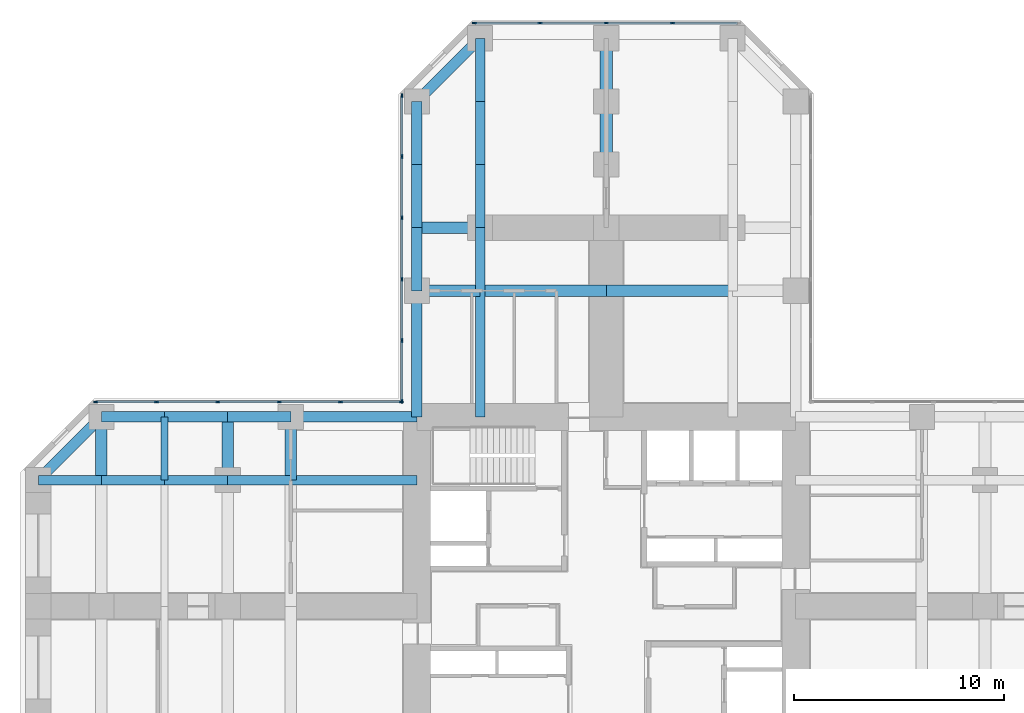
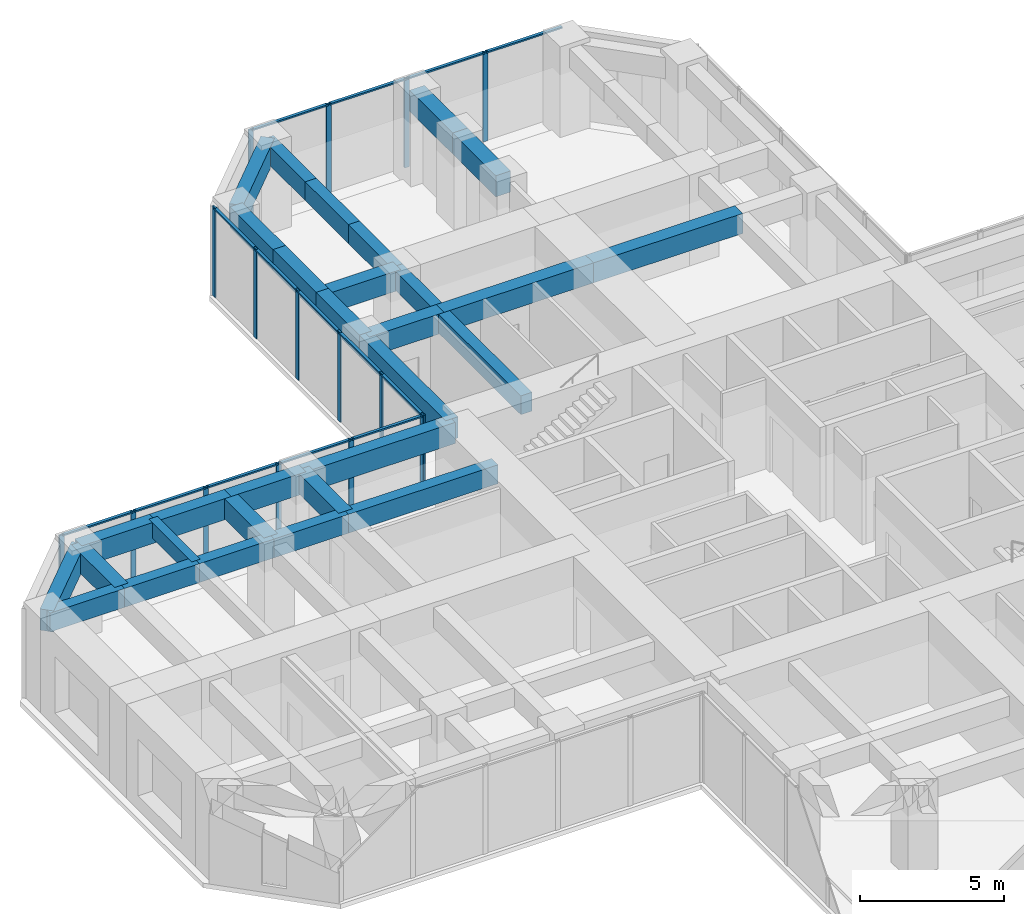
# One storey, part 5 of 12: 30 beams, 30 members, 3 elements without a shape of their own.
"""IFC4 building model written with IfcOpenShell, lengths in metres."""

import ifcopenshell
import ifcopenshell.guid

model = None  # the IFC model being written
_history = None  # IfcOwnerHistory: only IFC2X3 demands one
_inside = {}  # id of a spatial element -> (the spatial element, [elements in it])
_under = {}  # id of a project, library or spatial element -> (it, [spatial elements below it])
_declared = {}  # id of a project -> (the project, [libraries it declares])
_typed = {}  # id of a type object -> (the type object, [elements of that type])
_made_of = {}  # id of a material, layer set ... -> (it, [elements and type objects made of it])


def new_model(schema):
    """Start an empty IFC model of exactly this schema.

    Asked for "IFC4X3", IfcOpenShell would pick the latest addendum, in which some entities
    have other attributes; the version numbers below select the first issue.
    IFC2X3 requires an IfcOwnerHistory on every rooted entity: one is made here for all.
    """
    global model, _history
    if schema == "IFC4X3":
        model = ifcopenshell.file(schema_version=(4, 3, 0, 0))
    else:
        model = ifcopenshell.file(schema=schema)
    _inside.clear()
    _under.clear()
    _declared.clear()
    _typed.clear()
    _made_of.clear()
    _history = None
    if model.schema == "IFC2X3":
        org = make("IfcOrganization", Name="unknown")
        user = make(
            "IfcPersonAndOrganization",
            ThePerson=make("IfcPerson", FamilyName="unknown"),
            TheOrganization=org,
        )
        app = make(
            "IfcApplication",
            ApplicationDeveloper=org,
            Version="unknown",
            ApplicationFullName="unknown",
            ApplicationIdentifier="unknown",
        )
        _history = make(
            "IfcOwnerHistory",
            OwningUser=user,
            OwningApplication=app,
            ChangeAction="ADDED",
            CreationDate=0,
        )
    return model


def make(cls, **values):
    """One entity of the class cls with the attributes given. An attribute that is None is left unset."""
    return model.create_entity(
        cls, **{name: value for name, value in values.items() if value is not None}
    )


def rooted(cls, **values):
    """An entity with a GlobalId (a new one), such as an element, a storey or a relation."""
    return make(cls, GlobalId=ifcopenshell.guid.new(), OwnerHistory=_history, **values)


def si_unit(unit_type, name, prefix=None):
    """IfcSIUnit, for example si_unit("LENGTHUNIT", "METRE", prefix="MILLI")."""
    return make("IfcSIUnit", UnitType=unit_type, Prefix=prefix, Name=name)


def assignment(units):
    """IfcUnitAssignment: the units of a project."""
    return None if units is None else make("IfcUnitAssignment", Units=units)


def point(xyz):
    """IfcCartesianPoint."""
    return None if xyz is None else make("IfcCartesianPoint", Coordinates=xyz)


def direction(xyz):
    """IfcDirection."""
    return None if xyz is None else make("IfcDirection", DirectionRatios=xyz)


def frame(location, z_axis=None, x_axis=None):
    """IfcAxis2Placement3D, a coordinate frame: its origin and axes. An axis left out is left unset."""
    return make(
        "IfcAxis2Placement3D",
        Location=point(location),
        Axis=direction(z_axis),
        RefDirection=direction(x_axis),
    )


def frame_2d(location, x_axis=None):
    """IfcAxis2Placement2D, a coordinate frame in the plane: its origin and x axis."""
    return make(
        "IfcAxis2Placement2D", Location=point(location), RefDirection=direction(x_axis)
    )


def origin():
    """The frame at (0, 0, 0) with its axes left unset."""
    return frame((0.0, 0.0, 0.0))


def origin_2d():
    """The frame at (0, 0) in the plane with its x axis left unset."""
    return frame_2d((0.0, 0.0))


def place(relative_to, where):
    """IfcLocalPlacement: puts the frame where relative to a parent placement (None: the world)."""
    return make(
        "IfcLocalPlacement", PlacementRelTo=relative_to, RelativePlacement=where
    )


def context(
    kind, dimensions, precision=None, world=None, true_north=None, identifier=None
):
    """IfcGeometricRepresentationContext, for example the 3D "Model" context."""
    return make(
        "IfcGeometricRepresentationContext",
        ContextIdentifier=identifier,
        ContextType=kind,
        CoordinateSpaceDimension=dimensions,
        Precision=precision,
        WorldCoordinateSystem=world,
        TrueNorth=true_north,
    )


def subcontext(parent, identifier, kind, view, scale=None):
    """IfcGeometricRepresentationSubContext, for example "Body" below "Model"."""
    return make(
        "IfcGeometricRepresentationSubContext",
        ContextIdentifier=identifier,
        ContextType=kind,
        ParentContext=parent,
        TargetScale=scale,
        TargetView=view,
    )


def project(units=None, contexts=None):
    """IfcProject with its units and contexts."""
    return rooted(
        "IfcProject",
        Name="project",
        RepresentationContexts=contexts,
        UnitsInContext=assignment(units),
    )


def spatial(cls, under=None, at=None, **own):
    """A site, building, storey or space (cls), placed at a placement, below another one or the project."""
    s = rooted(cls, ObjectPlacement=at, **own)
    if under is not None:
        _under.setdefault(under.id(), (under, []))[1].append(s)
    return s


def profile(cls, at=None, kind="AREA", **sizes):
    """A parametric profile (cls). Its sizes go by their IFC names, for example OverallWidth=200.0."""
    return make(cls, ProfileType=kind, Position=at, **sizes)


def rectangle(**sizes):
    """IfcRectangleProfileDef."""
    return profile("IfcRectangleProfileDef", **sizes)


def extrude(swept, where, along, depth):
    """IfcExtrudedAreaSolid: the profile swept, set in the frame where, extruded along a direction by depth."""
    return make(
        "IfcExtrudedAreaSolid",
        SweptArea=swept,
        Position=where,
        ExtrudedDirection=direction(along),
        Depth=depth,
    )


def shape(context_of_items, identifier, shape_type, items):
    """IfcShapeRepresentation: the items that make up one representation, for example the "Body"."""
    return make(
        "IfcShapeRepresentation",
        ContextOfItems=context_of_items,
        RepresentationIdentifier=identifier,
        RepresentationType=shape_type,
        Items=items,
    )


def material(Name=None, Category=None):
    """IfcMaterial."""
    return make("IfcMaterial", Name=Name, Category=Category)


def material_profile(
    of_material, cross_section, Name=None, Category=None, Priority=None
):
    """IfcMaterialProfile: a cross section and its material."""
    return make(
        "IfcMaterialProfile",
        Name=Name,
        Material=of_material,
        Profile=cross_section,
        Priority=Priority,
        Category=Category,
    )


def profile_set(profiles, Name=None, composite=None):
    """IfcMaterialProfileSet."""
    return make(
        "IfcMaterialProfileSet",
        Name=Name,
        MaterialProfiles=profiles,
        CompositeProfile=composite,
    )


def made_of(thing, what):
    """Note that an element or type object is made of a material, layer set ...; save() writes the relation."""
    if what is not None:
        _made_of.setdefault(what.id(), (what, []))[1].append(thing)
    return thing


def type_object(cls, material=None, **own):
    """A type object (cls), such as IfcWallType, which elements share."""
    return made_of(rooted(cls, **own), material)


def element(
    cls,
    number,
    at=None,
    inside=None,
    cuts=None,
    type_object=None,
    material=None,
    context=None,
    identifier="Body",
    shape_type=None,
    held_by="IfcProductDefinitionShape",
    body=None,
    shapes=None,
    **own,
):
    """One element of the class cls, such as IfcWall. Its Tag is "e" and its number.

    at: its placement. inside: the storey or other place that contains it. cuts: it is an
    opening in that element (IfcRelVoidsElement). A single representation is given by context,
    identifier, shape_type and body (its items); several are given by shapes. held_by: the class
    of the entity that holds the representations. save() writes the other relations.
    """
    e = rooted(cls, Tag="e%d" % number, ObjectPlacement=at, **own)
    if body is not None:
        shapes = [shape(context, identifier, shape_type, body)]
    if shapes is not None:
        e.Representation = make(held_by, Representations=shapes)
    if inside is not None:
        _inside.setdefault(inside.id(), (inside, []))[1].append(e)
    if cuts is not None:
        rooted(
            "IfcRelVoidsElement", RelatingBuildingElement=cuts, RelatedOpeningElement=e
        )
    if type_object is not None:
        _typed.setdefault(type_object.id(), (type_object, []))[1].append(e)
    return made_of(e, material)


def aggregate(whole, parts):
    """IfcRelAggregates: a whole, such as a stair, and the parts it consists of."""
    return rooted("IfcRelAggregates", RelatingObject=whole, RelatedObjects=parts)


def save(model, path):
    """Write the relations noted so far, then the file.

    IfcRelAggregates (storeys below a building ...), IfcRelContainedInSpatialStructure (elements
    in a storey), IfcRelDefinesByType, IfcRelAssociatesMaterial and IfcRelDeclares: one each for
    every whole, place, type object, material and project.
    """
    for whole, parts in _under.values():
        aggregate(whole, parts)
    for where, things in _inside.values():
        rooted(
            "IfcRelContainedInSpatialStructure",
            RelatedElements=things,
            RelatingStructure=where,
        )
    for kind, things in _typed.values():
        rooted("IfcRelDefinesByType", RelatedObjects=things, RelatingType=kind)
    for what, things in _made_of.values():
        rooted("IfcRelAssociatesMaterial", RelatedObjects=things, RelatingMaterial=what)
    for by, libraries in _declared.values():
        rooted("IfcRelDeclares", RelatingContext=by, RelatedDefinitions=libraries)
    model.write(path)


model = new_model("IFC4")

# Units and contexts
model_context = context("Model", 3, precision=1e-05, world=origin(), true_north=direction((0.0, 1.0)))
body_context = subcontext(model_context, "Body", "Model", "MODEL_VIEW")
ifc_project = project(units=[si_unit("LENGTHUNIT", "METRE"), si_unit("AREAUNIT", "SQUARE_METRE"), si_unit("VOLUMEUNIT", "CUBIC_METRE"), si_unit("PLANEANGLEUNIT", "RADIAN"), si_unit("MASSUNIT", "GRAM", prefix="KILO")], contexts=[model_context])

# Site, building, storey
site_placement = place(None, origin())
site = spatial("IfcSite", under=ifc_project, at=site_placement, CompositionType="ELEMENT")
building_placement = place(site_placement, origin())
building = spatial("IfcBuilding", under=site, at=building_placement, Name="Torre Cruceta", CompositionType="ELEMENT")
storey_placement = place(building_placement, frame((0.0, 0.0, 67.5)))
storey = spatial("IfcBuildingStorey", under=building, at=storey_placement, Name="L16", CompositionType="ELEMENT", Elevation=67.5)

# Beams
ifc_material_1 = material(Name="Concrete G60 (fck 60 MPa)", Category="concrete")
ifc_material_profile_1 = material_profile(ifc_material_1, rectangle(XDim=0.60009765625, YDim=0.89990234375, at=origin_2d()), Name="RC 600X900")
ifc_profile_set_1 = profile_set([ifc_material_profile_1], Name="Concrete G60 (fck 60 MPa)")
beam_type_1 = type_object("IfcBeamType", Name="ARM CENTRE BEAM RC 600X900", PredefinedType="BEAM", material=ifc_profile_set_1)
for number, where, z_axis, x_axis, name in (
    (1, (0.0, 21.0, 3.35009765625), (0.0, 1.0, 0.0), (-1.0, 0.0, 0.0), "MB3 L16 N centre 1"),
    (2, (0.0, 24.0, 3.35009765625), (0.0, 1.0, 0.0), (-1.0, 0.0, 0.0), "MB3 L16 N centre 2"),
):
    element("IfcBeam", number, at=place(storey_placement, frame(where, z_axis=z_axis, x_axis=x_axis)), inside=storey, type_object=beam_type_1, Name=name, PredefinedType="BEAM", context=body_context, shape_type="SweptSolid", body=[
        extrude(rectangle(XDim=0.60009765625, YDim=0.89990234375, at=origin_2d()), origin(), (0.0, 0.0, 1.0), 3.0),
    ])
ifc_material_2 = material(Name="Concrete G60 (fck 60 MPa)", Category="concrete")
ifc_material_profile_2 = material_profile(ifc_material_2, rectangle(XDim=0.449951171875, YDim=0.800048828125, at=origin_2d()), Name="RC 450X800")
ifc_profile_set_2 = profile_set([ifc_material_profile_2], Name="Concrete G60 (fck 60 MPa)")
beam_type_2 = type_object("IfcBeamType", Name="COLUMN LINE BEAM RC 450X800", PredefinedType="BEAM", material=ifc_profile_set_2)
beam_1_placement = place(storey_placement, frame((-6.0, 9.0, 3.39990234375), z_axis=(0.0, 1.0, 0.0), x_axis=(-1.0, 0.0, 0.0)))
element("IfcBeam", 3, at=beam_1_placement, inside=storey, type_object=beam_type_2, Name="LB1 L16 N col+ 1", PredefinedType="BEAM", context=body_context, shape_type="SweptSolid", body=[
    extrude(rectangle(XDim=0.449951171875, YDim=0.800048828125, at=origin_2d()), origin(), (0.0, 0.0, 1.0), 6.0),
])
for number, where, z_axis, x_axis, name in (
    (4, (-6.0, 15.0, 3.39990234375), (0.0, 1.0, 0.0), (-1.0, 0.0, 0.0), "LB1 L16 N col+ 2"),
    (5, (-6.0, 18.0, 3.39990234375), (0.0, 1.0, 0.0), (-1.0, 0.0, 0.0), "LB1 L16 N col+ 3"),
    (6, (-6.0, 21.0, 3.39990234375), (0.0, 1.0, 0.0), (-1.0, 0.0, 0.0), "LB1 L16 N col+ 4"),
    (7, (-6.0, 24.0, 3.39990234375), (0.0, 1.0, 0.0), (-1.0, 0.0, 0.0), "LB1 L16 N col+ 5"),
):
    element("IfcBeam", number, at=place(storey_placement, frame(where, z_axis=z_axis, x_axis=x_axis)), inside=storey, type_object=beam_type_2, Name=name, PredefinedType="BEAM", context=body_context, shape_type="SweptSolid", body=[
        extrude(rectangle(XDim=0.449951171875, YDim=0.800048828125, at=origin_2d()), origin(), (0.0, 0.0, 1.0), 3.0),
    ])
beam_2_placement = place(storey_placement, frame((-9.0, 6.0, 3.39990234375), z_axis=(-1.0, 0.0, 0.0), x_axis=(0.0, -1.0, 0.0)))
element("IfcBeam", 8, at=beam_2_placement, inside=storey, type_object=beam_type_2, Name="LB1 L16 W col- 1", PredefinedType="BEAM", context=body_context, shape_type="SweptSolid", body=[
    extrude(rectangle(XDim=0.449951171875, YDim=0.800048828125, at=origin_2d()), origin(), (0.0, 0.0, 1.0), 6.0),
])
for number, where, z_axis, x_axis, name in (
    (9, (-15.0, 6.0, 3.39990234375), (-1.0, 0.0, 0.0), (0.0, -1.0, 0.0), "LB1 L16 W col- 2"),
    (10, (-18.0, 6.0, 3.39990234375), (-1.0, 0.0, 0.0), (0.0, -1.0, 0.0), "LB1 L16 W col- 3"),
    (11, (-21.0, 6.0, 3.39990234375), (-1.0, 0.0, 0.0), (0.0, -1.0, 0.0), "LB1 L16 W col- 4"),
    (12, (-24.0, 6.0, 3.39990234375), (-1.0, 0.0, 0.0), (0.0, -1.0, 0.0), "LB1 L16 W col- 5"),
):
    element("IfcBeam", number, at=place(storey_placement, frame(where, z_axis=z_axis, x_axis=x_axis)), inside=storey, type_object=beam_type_2, Name=name, PredefinedType="BEAM", context=body_context, shape_type="SweptSolid", body=[
        extrude(rectangle(XDim=0.449951171875, YDim=0.800048828125, at=origin_2d()), origin(), (0.0, 0.0, 1.0), 3.0),
    ])
ifc_material_3 = material(Name="Concrete G60 (fck 60 MPa)", Category="concrete")
ifc_material_profile_3 = material_profile(ifc_material_3, rectangle(XDim=0.550048828125, YDim=0.85009765625, at=origin_2d()), Name="RC 550X850")
ifc_profile_set_3 = profile_set([ifc_material_profile_3], Name="Concrete G60 (fck 60 MPa)")
beam_type_3 = type_object("IfcBeamType", Name="CROSS BEAM RC 550X850", PredefinedType="BEAM", material=ifc_profile_set_3)
for number, where, z_axis, x_axis, name in (
    (13, (6.0, 15.0, 3.375), (-1.0, 0.0, 0.0), (0.0, -1.0, 0.0), "GB4 L16 N cross15 2"),
    (14, (0.0, 15.0, 3.375), (-1.0, 0.0, 0.0), (0.0, -1.0, 0.0), "GB4 L16 N cross15 3"),
):
    element("IfcBeam", number, at=place(storey_placement, frame(where, z_axis=z_axis, x_axis=x_axis)), inside=storey, type_object=beam_type_3, Name=name, PredefinedType="BEAM", context=body_context, shape_type="SweptSolid", body=[
        extrude(rectangle(XDim=0.550048828125, YDim=0.85009765625, at=origin_2d()), origin(), (0.0, 0.0, 1.0), 6.0),
    ])
for number, where, z_axis, x_axis, name in (
    (15, (-6.0, 15.0, 3.375), (-1.0, 0.0, 0.0), (0.0, -1.0, 0.0), "GB4 L16 N cross15 4"),
    (16, (-6.0, 18.0, 3.375), (-1.0, 0.0, 0.0), (0.0, -1.0, 0.0), "GB4 L16 N cross18b 1"),
    (17, (-15.0, 9.0, 3.375), (0.0, -1.0, 0.0), (1.0, 0.0, 0.0), "GB4 L16 W cross15 1"),
    (18, (-18.0, 9.0, 3.375), (0.0, -1.0, 0.0), (1.0, 0.0, 0.0), "GB4 L16 W cross18 1"),
    (19, (-24.0, 9.0, 3.375), (0.0, -1.0, 0.0), (1.0, 0.0, 0.0), "GB4 L16 W cross24 1"),
):
    element("IfcBeam", number, at=place(storey_placement, frame(where, z_axis=z_axis, x_axis=x_axis)), inside=storey, type_object=beam_type_3, Name=name, PredefinedType="BEAM", context=body_context, shape_type="SweptSolid", body=[
        extrude(rectangle(XDim=0.550048828125, YDim=0.85009765625, at=origin_2d()), origin(), (0.0, 0.0, 1.0), 3.0),
    ])

# Curtain wall, members
ifc_material_4 = material(Name="Aluminium unitised curtain wall", Category="aluminium")
curtain_wall_type = type_object("IfcCurtainWallType", Name="CURTAIN WALL CW-A OFFICE LOW RISE", PredefinedType="USERDEFINED", material=ifc_material_4)
curtain_wall_1_placement = place(storey_placement, origin())
curtain_wall_1 = element("IfcCurtainWall", 20, at=curtain_wall_1_placement, inside=storey, type_object=curtain_wall_type, Name="CW-A L16 N tip 07", ObjectType="UNITISED", PredefinedType="USERDEFINED")
ifc_material_5 = material(Name="Aluminium mullion", Category="aluminium")
ifc_material_profile_4 = material_profile(ifc_material_5, rectangle(XDim=0.06494140625, YDim=0.199951171875, at=origin_2d()), Name="AL 65X200")
ifc_profile_set_4 = profile_set([ifc_material_profile_4], Name="Aluminium mullion")
member_type_1 = type_object("IfcMemberType", Name="CW-A MULLION 65X200", PredefinedType="MULLION", material=ifc_profile_set_4)
member_1_placement = place(storey_placement, frame((3.149169921875, 27.719970703125, 0.0), z_axis=(0.0, 0.0, 1.0), x_axis=(0.0, -1.0, 0.0)))
member_1 = element("IfcMember", 21, at=member_1_placement, type_object=member_type_1, Name="CW-A mullion 2", PredefinedType="MULLION", context=body_context, shape_type="SweptSolid", body=[
    extrude(rectangle(XDim=0.06494140625, YDim=0.199951171875, at=origin_2d()), origin(), (0.0, 0.0, 1.0), 3.800048828125),
])
member_2_placement = place(storey_placement, frame((0.0, 27.719970703125, 0.0), z_axis=(0.0, 0.0, 1.0), x_axis=(0.0, -1.0, 0.0)))
member_2 = element("IfcMember", 22, at=member_2_placement, type_object=member_type_1, Name="CW-A mullion 3", PredefinedType="MULLION", context=body_context, shape_type="SweptSolid", body=[
    extrude(rectangle(XDim=0.06494140625, YDim=0.199951171875, at=origin_2d()), origin(), (0.0, 0.0, 1.0), 3.800048828125),
])
member_3_placement = place(storey_placement, frame((-3.149169921875, 27.719970703125, 0.0), z_axis=(0.0, 0.0, 1.0), x_axis=(0.0, -1.0, 0.0)))
member_3 = element("IfcMember", 23, at=member_3_placement, type_object=member_type_1, Name="CW-A mullion 4", PredefinedType="MULLION", context=body_context, shape_type="SweptSolid", body=[
    extrude(rectangle(XDim=0.06494140625, YDim=0.199951171875, at=origin_2d()), origin(), (0.0, 0.0, 1.0), 3.800048828125),
])
member_4_placement = place(storey_placement, frame((-6.265625, 27.719970703125, 0.0), z_axis=(0.0, 0.0, 1.0), x_axis=(0.0, -1.0, 0.0)))
member_4 = element("IfcMember", 24, at=member_4_placement, type_object=member_type_1, Name="CW-A mullion 5", PredefinedType="MULLION", context=body_context, shape_type="SweptSolid", body=[
    extrude(rectangle(XDim=0.06494140625, YDim=0.199951171875, at=origin_2d()), origin(), (0.0, 0.0, 1.0), 3.800048828125),
])

curtain_wall_2_placement = place(storey_placement, origin())
curtain_wall_2 = element("IfcCurtainWall", 25, at=curtain_wall_2_placement, inside=storey, type_object=curtain_wall_type, Name="CW-A L16 N side 09", ObjectType="UNITISED", PredefinedType="USERDEFINED")
member_5_placement = place(storey_placement, frame((-9.719970703125, 24.265625, 0.0), z_axis=(0.0, 0.0, 1.0), x_axis=(1.0, 0.0, 0.0)))
member_5 = element("IfcMember", 26, at=member_5_placement, type_object=member_type_1, Name="CW-A mullion 1", PredefinedType="MULLION", context=body_context, shape_type="SweptSolid", body=[
    extrude(rectangle(XDim=0.06494140625, YDim=0.199951171875, at=origin_2d()), origin(), (0.0, 0.0, 1.0), 3.800048828125),
])
member_6_placement = place(storey_placement, frame((-9.719970703125, 21.382568359375, 0.0), z_axis=(0.0, 0.0, 1.0), x_axis=(1.0, 0.0, 0.0)))
member_6 = element("IfcMember", 27, at=member_6_placement, type_object=member_type_1, Name="CW-A mullion 2", PredefinedType="MULLION", context=body_context, shape_type="SweptSolid", body=[
    extrude(rectangle(XDim=0.06494140625, YDim=0.199951171875, at=origin_2d()), origin(), (0.0, 0.0, 1.0), 3.800048828125),
])
member_7_placement = place(storey_placement, frame((-9.719970703125, 18.467041015625, 0.0), z_axis=(0.0, 0.0, 1.0), x_axis=(1.0, 0.0, 0.0)))
member_7 = element("IfcMember", 28, at=member_7_placement, type_object=member_type_1, Name="CW-A mullion 3", PredefinedType="MULLION", context=body_context, shape_type="SweptSolid", body=[
    extrude(rectangle(XDim=0.06494140625, YDim=0.199951171875, at=origin_2d()), origin(), (0.0, 0.0, 1.0), 3.800048828125),
])
member_8_placement = place(storey_placement, frame((-9.719970703125, 15.55126953125, 0.0), z_axis=(0.0, 0.0, 1.0), x_axis=(1.0, 0.0, 0.0)))
member_8 = element("IfcMember", 29, at=member_8_placement, type_object=member_type_1, Name="CW-A mullion 4", PredefinedType="MULLION", context=body_context, shape_type="SweptSolid", body=[
    extrude(rectangle(XDim=0.06494140625, YDim=0.199951171875, at=origin_2d()), origin(), (0.0, 0.0, 1.0), 3.800048828125),
])
member_9_placement = place(storey_placement, frame((-9.719970703125, 12.6357421875, 0.0), z_axis=(0.0, 0.0, 1.0), x_axis=(1.0, 0.0, 0.0)))
member_9 = element("IfcMember", 30, at=member_9_placement, type_object=member_type_1, Name="CW-A mullion 5", PredefinedType="MULLION", context=body_context, shape_type="SweptSolid", body=[
    extrude(rectangle(XDim=0.06494140625, YDim=0.199951171875, at=origin_2d()), origin(), (0.0, 0.0, 1.0), 3.800048828125),
])
member_10_placement = place(storey_placement, frame((-9.719970703125, 9.75244140625, 0.0), z_axis=(0.0, 0.0, 1.0), x_axis=(1.0, 0.0, 0.0)))
member_10 = element("IfcMember", 31, at=member_10_placement, type_object=member_type_1, Name="CW-A mullion 6", PredefinedType="MULLION", context=body_context, shape_type="SweptSolid", body=[
    extrude(rectangle(XDim=0.06494140625, YDim=0.199951171875, at=origin_2d()), origin(), (0.0, 0.0, 1.0), 3.800048828125),
])

curtain_wall_3_placement = place(storey_placement, origin())
curtain_wall_3 = element("IfcCurtainWall", 32, at=curtain_wall_3_placement, inside=storey, type_object=curtain_wall_type, Name="CW-A L16 W side 10", ObjectType="UNITISED", PredefinedType="USERDEFINED")
member_11_placement = place(storey_placement, frame((-9.75244140625, 9.719970703125, 0.0), z_axis=(0.0, 0.0, 1.0), x_axis=(0.0, -1.0, 0.0)))
member_11 = element("IfcMember", 33, at=member_11_placement, type_object=member_type_1, Name="CW-A mullion 1", PredefinedType="MULLION", context=body_context, shape_type="SweptSolid", body=[
    extrude(rectangle(XDim=0.06494140625, YDim=0.199951171875, at=origin_2d()), origin(), (0.0, 0.0, 1.0), 3.800048828125),
])
member_12_placement = place(storey_placement, frame((-12.6357421875, 9.719970703125, 0.0), z_axis=(0.0, 0.0, 1.0), x_axis=(0.0, -1.0, 0.0)))
member_12 = element("IfcMember", 34, at=member_12_placement, type_object=member_type_1, Name="CW-A mullion 2", PredefinedType="MULLION", context=body_context, shape_type="SweptSolid", body=[
    extrude(rectangle(XDim=0.06494140625, YDim=0.199951171875, at=origin_2d()), origin(), (0.0, 0.0, 1.0), 3.800048828125),
])
member_13_placement = place(storey_placement, frame((-15.55126953125, 9.719970703125, 0.0), z_axis=(0.0, 0.0, 1.0), x_axis=(0.0, -1.0, 0.0)))
member_13 = element("IfcMember", 35, at=member_13_placement, type_object=member_type_1, Name="CW-A mullion 3", PredefinedType="MULLION", context=body_context, shape_type="SweptSolid", body=[
    extrude(rectangle(XDim=0.06494140625, YDim=0.199951171875, at=origin_2d()), origin(), (0.0, 0.0, 1.0), 3.800048828125),
])
member_14_placement = place(storey_placement, frame((-18.467041015625, 9.719970703125, 0.0), z_axis=(0.0, 0.0, 1.0), x_axis=(0.0, -1.0, 0.0)))
member_14 = element("IfcMember", 36, at=member_14_placement, type_object=member_type_1, Name="CW-A mullion 4", PredefinedType="MULLION", context=body_context, shape_type="SweptSolid", body=[
    extrude(rectangle(XDim=0.06494140625, YDim=0.199951171875, at=origin_2d()), origin(), (0.0, 0.0, 1.0), 3.800048828125),
])
member_15_placement = place(storey_placement, frame((-21.382568359375, 9.719970703125, 0.0), z_axis=(0.0, 0.0, 1.0), x_axis=(0.0, -1.0, 0.0)))
member_15 = element("IfcMember", 37, at=member_15_placement, type_object=member_type_1, Name="CW-A mullion 5", PredefinedType="MULLION", context=body_context, shape_type="SweptSolid", body=[
    extrude(rectangle(XDim=0.06494140625, YDim=0.199951171875, at=origin_2d()), origin(), (0.0, 0.0, 1.0), 3.800048828125),
])
member_16_placement = place(storey_placement, frame((-24.265625, 9.719970703125, 0.0), z_axis=(0.0, 0.0, 1.0), x_axis=(0.0, -1.0, 0.0)))
member_16 = element("IfcMember", 38, at=member_16_placement, type_object=member_type_1, Name="CW-A mullion 6", PredefinedType="MULLION", context=body_context, shape_type="SweptSolid", body=[
    extrude(rectangle(XDim=0.06494140625, YDim=0.199951171875, at=origin_2d()), origin(), (0.0, 0.0, 1.0), 3.800048828125),
])

# Member
ifc_material_6 = material(Name="Aluminium transom", Category="aluminium")
ifc_material_profile_5 = material_profile(ifc_material_6, rectangle(XDim=0.1201171875, YDim=0.06494140625, at=origin_2d()), Name="AL 120X65")
ifc_profile_set_5 = profile_set([ifc_material_profile_5], Name="Aluminium transom")
member_type_2 = type_object("IfcMemberType", Name="CW-A TRANSOM 65X120", PredefinedType="USERDEFINED", material=ifc_profile_set_5)
member_17_placement = place(storey_placement, frame((6.233154296875, 27.719970703125, 3.767578125), z_axis=(-1.0, 0.0, 0.0), x_axis=(0.0, -1.0, 0.0)))
member_17 = element("IfcMember", 39, at=member_17_placement, type_object=member_type_2, Name="CW-A transom 1", ObjectType="TRANSOM", PredefinedType="USERDEFINED", context=body_context, shape_type="SweptSolid", body=[
    extrude(rectangle(XDim=0.1201171875, YDim=0.06494140625, at=origin_2d()), origin(), (0.0, 0.0, 1.0), 3.051513671875),
])

member_18_placement = place(storey_placement, frame((3.11669921875, 27.719970703125, 3.767578125), z_axis=(-1.0, 0.0, 0.0), x_axis=(0.0, -1.0, 0.0)))
member_18 = element("IfcMember", 40, at=member_18_placement, type_object=member_type_2, Name="CW-A transom 2", ObjectType="TRANSOM", PredefinedType="USERDEFINED", context=body_context, shape_type="SweptSolid", body=[
    extrude(rectangle(XDim=0.1201171875, YDim=0.06494140625, at=origin_2d()), origin(), (0.0, 0.0, 1.0), 3.084228515625),
])

member_19_placement = place(storey_placement, frame((-0.032470703125, 27.719970703125, 3.767578125), z_axis=(-1.0, 0.0, 0.0), x_axis=(0.0, -1.0, 0.0)))
member_19 = element("IfcMember", 41, at=member_19_placement, type_object=member_type_2, Name="CW-A transom 3", ObjectType="TRANSOM", PredefinedType="USERDEFINED", context=body_context, shape_type="SweptSolid", body=[
    extrude(rectangle(XDim=0.1201171875, YDim=0.06494140625, at=origin_2d()), origin(), (0.0, 0.0, 1.0), 3.084228515625),
])

member_20_placement = place(storey_placement, frame((-3.181640625, 27.719970703125, 3.767578125), z_axis=(-1.0, 0.0, 0.0), x_axis=(0.0, -1.0, 0.0)))
member_20 = element("IfcMember", 42, at=member_20_placement, type_object=member_type_2, Name="CW-A transom 4", ObjectType="TRANSOM", PredefinedType="USERDEFINED", context=body_context, shape_type="SweptSolid", body=[
    extrude(rectangle(XDim=0.1201171875, YDim=0.06494140625, at=origin_2d()), origin(), (0.0, 0.0, 1.0), 3.051513671875),
])

aggregate(curtain_wall_1, [member_1, member_2, member_3, member_4, member_17, member_18, member_19, member_20])

member_21_placement = place(storey_placement, frame((-9.719970703125, 24.233154296875, 3.767578125), z_axis=(0.0, -1.0, 0.0), x_axis=(1.0, 0.0, 0.0)))
member_21 = element("IfcMember", 43, at=member_21_placement, type_object=member_type_2, Name="CW-A transom 1", ObjectType="TRANSOM", PredefinedType="USERDEFINED", context=body_context, shape_type="SweptSolid", body=[
    extrude(rectangle(XDim=0.1201171875, YDim=0.06494140625, at=origin_2d()), origin(), (0.0, 0.0, 1.0), 2.818115234375),
])

member_22_placement = place(storey_placement, frame((-9.719970703125, 21.35009765625, 3.767578125), z_axis=(0.0, -1.0, 0.0), x_axis=(1.0, 0.0, 0.0)))
member_22 = element("IfcMember", 44, at=member_22_placement, type_object=member_type_2, Name="CW-A transom 2", ObjectType="TRANSOM", PredefinedType="USERDEFINED", context=body_context, shape_type="SweptSolid", body=[
    extrude(rectangle(XDim=0.1201171875, YDim=0.06494140625, at=origin_2d()), origin(), (0.0, 0.0, 1.0), 2.8505859375),
])

member_23_placement = place(storey_placement, frame((-9.719970703125, 18.434326171875, 3.767578125), z_axis=(0.0, -1.0, 0.0), x_axis=(1.0, 0.0, 0.0)))
member_23 = element("IfcMember", 45, at=member_23_placement, type_object=member_type_2, Name="CW-A transom 3", ObjectType="TRANSOM", PredefinedType="USERDEFINED", context=body_context, shape_type="SweptSolid", body=[
    extrude(rectangle(XDim=0.1201171875, YDim=0.06494140625, at=origin_2d()), origin(), (0.0, 0.0, 1.0), 2.8505859375),
])

member_24_placement = place(storey_placement, frame((-9.719970703125, 15.518798828125, 3.767578125), z_axis=(0.0, -1.0, 0.0), x_axis=(1.0, 0.0, 0.0)))
member_24 = element("IfcMember", 46, at=member_24_placement, type_object=member_type_2, Name="CW-A transom 4", ObjectType="TRANSOM", PredefinedType="USERDEFINED", context=body_context, shape_type="SweptSolid", body=[
    extrude(rectangle(XDim=0.1201171875, YDim=0.06494140625, at=origin_2d()), origin(), (0.0, 0.0, 1.0), 2.8505859375),
])

member_25_placement = place(storey_placement, frame((-9.719970703125, 12.60302734375, 3.767578125), z_axis=(0.0, -1.0, 0.0), x_axis=(1.0, 0.0, 0.0)))
member_25 = element("IfcMember", 47, at=member_25_placement, type_object=member_type_2, Name="CW-A transom 5", ObjectType="TRANSOM", PredefinedType="USERDEFINED", context=body_context, shape_type="SweptSolid", body=[
    extrude(rectangle(XDim=0.1201171875, YDim=0.06494140625, at=origin_2d()), origin(), (0.0, 0.0, 1.0), 2.818115234375),
])

aggregate(curtain_wall_2, [member_5, member_6, member_7, member_8, member_9, member_10, member_21, member_22, member_23, member_24, member_25])

member_26_placement = place(storey_placement, frame((-9.784912109375, 9.719970703125, 3.767578125), z_axis=(-1.0, 0.0, 0.0), x_axis=(0.0, -1.0, 0.0)))
member_26 = element("IfcMember", 48, at=member_26_placement, type_object=member_type_2, Name="CW-A transom 1", ObjectType="TRANSOM", PredefinedType="USERDEFINED", context=body_context, shape_type="SweptSolid", body=[
    extrude(rectangle(XDim=0.1201171875, YDim=0.06494140625, at=origin_2d()), origin(), (0.0, 0.0, 1.0), 2.818115234375),
])

member_27_placement = place(storey_placement, frame((-12.668212890625, 9.719970703125, 3.767578125), z_axis=(-1.0, 0.0, 0.0), x_axis=(0.0, -1.0, 0.0)))
member_27 = element("IfcMember", 49, at=member_27_placement, type_object=member_type_2, Name="CW-A transom 2", ObjectType="TRANSOM", PredefinedType="USERDEFINED", context=body_context, shape_type="SweptSolid", body=[
    extrude(rectangle(XDim=0.1201171875, YDim=0.06494140625, at=origin_2d()), origin(), (0.0, 0.0, 1.0), 2.8505859375),
])

member_28_placement = place(storey_placement, frame((-15.583740234375, 9.719970703125, 3.767578125), z_axis=(-1.0, 0.0, 0.0), x_axis=(0.0, -1.0, 0.0)))
member_28 = element("IfcMember", 50, at=member_28_placement, type_object=member_type_2, Name="CW-A transom 3", ObjectType="TRANSOM", PredefinedType="USERDEFINED", context=body_context, shape_type="SweptSolid", body=[
    extrude(rectangle(XDim=0.1201171875, YDim=0.06494140625, at=origin_2d()), origin(), (0.0, 0.0, 1.0), 2.8505859375),
])

member_29_placement = place(storey_placement, frame((-18.49951171875, 9.719970703125, 3.767578125), z_axis=(-1.0, 0.0, 0.0), x_axis=(0.0, -1.0, 0.0)))
member_29 = element("IfcMember", 51, at=member_29_placement, type_object=member_type_2, Name="CW-A transom 4", ObjectType="TRANSOM", PredefinedType="USERDEFINED", context=body_context, shape_type="SweptSolid", body=[
    extrude(rectangle(XDim=0.1201171875, YDim=0.06494140625, at=origin_2d()), origin(), (0.0, 0.0, 1.0), 2.8505859375),
])

member_30_placement = place(storey_placement, frame((-21.4150390625, 9.719970703125, 3.767578125), z_axis=(-1.0, 0.0, 0.0), x_axis=(0.0, -1.0, 0.0)))
member_30 = element("IfcMember", 52, at=member_30_placement, type_object=member_type_2, Name="CW-A transom 5", ObjectType="TRANSOM", PredefinedType="USERDEFINED", context=body_context, shape_type="SweptSolid", body=[
    extrude(rectangle(XDim=0.1201171875, YDim=0.06494140625, at=origin_2d()), origin(), (0.0, 0.0, 1.0), 2.818115234375),
])

aggregate(curtain_wall_3, [member_11, member_12, member_13, member_14, member_15, member_16, member_26, member_27, member_28, member_29, member_30])

# Beams
ifc_material_7 = material(Name="Concrete G60 (fck 60 MPa)", Category="concrete")
ifc_material_profile_6 = material_profile(ifc_material_7, rectangle(XDim=0.35009765625, YDim=0.64990234375, at=origin_2d()), Name="RC 350X650")
ifc_profile_set_6 = profile_set([ifc_material_profile_6], Name="Concrete G60 (fck 60 MPa)")
beam_type_4 = type_object("IfcBeamType", Name="SECONDARY BEAM RC 350X650", PredefinedType="JOIST", material=ifc_profile_set_6)
beam_3_placement = place(storey_placement, frame((-21.0, 9.0, 3.47509765625), z_axis=(0.0, -1.0, 0.0), x_axis=(1.0, 0.0, 0.0)))
element("IfcBeam", 53, at=beam_3_placement, inside=storey, type_object=beam_type_4, Name="JB3 L16 W sec21 1", PredefinedType="JOIST", context=body_context, shape_type="SweptSolid", body=[
    extrude(rectangle(XDim=0.35009765625, YDim=0.64990234375, at=origin_2d()), origin(), (0.0, 0.0, 1.0), 3.0),
])
ifc_material_8 = material(Name="Concrete G60 (fck 60 MPa)", Category="concrete")
ifc_material_profile_7 = material_profile(ifc_material_8, rectangle(XDim=0.5, YDim=0.89990234375, at=origin_2d()), Name="RC 500X900")
ifc_profile_set_7 = profile_set([ifc_material_profile_7], Name="Concrete G60 (fck 60 MPa)")
beam_type_5 = type_object("IfcBeamType", Name="SPANDREL BEAM RC 500X900", PredefinedType="SPANDREL", material=ifc_profile_set_7)
beam_4_placement = place(storey_placement, frame((-9.0, 9.0, 3.35009765625), z_axis=(0.0, 1.0, 0.0), x_axis=(-1.0, 0.0, 0.0)))
element("IfcBeam", 54, at=beam_4_placement, inside=storey, type_object=beam_type_5, Name="SB4 L16 N side+ 1", PredefinedType="SPANDREL", context=body_context, shape_type="SweptSolid", body=[
    extrude(rectangle(XDim=0.5, YDim=0.89990234375, at=origin_2d()), origin(), (0.0, 0.0, 1.0), 6.0),
])
for number, where, z_axis, x_axis, name in (
    (55, (-9.0, 15.0, 3.35009765625), (0.0, 1.0, 0.0), (-1.0, 0.0, 0.0), "SB4 L16 N side+ 2"),
    (56, (-9.0, 18.0, 3.35009765625), (0.0, 1.0, 0.0), (-1.0, 0.0, 0.0), "SB4 L16 N side+ 3"),
    (57, (-9.0, 21.0, 3.35009765625), (0.0, 1.0, 0.0), (-1.0, 0.0, 0.0), "SB4 L16 N side+ 4"),
):
    element("IfcBeam", number, at=place(storey_placement, frame(where, z_axis=z_axis, x_axis=x_axis)), inside=storey, type_object=beam_type_5, Name=name, PredefinedType="SPANDREL", context=body_context, shape_type="SweptSolid", body=[
        extrude(rectangle(XDim=0.5, YDim=0.89990234375, at=origin_2d()), origin(), (0.0, 0.0, 1.0), 3.0),
    ])
beam_5_placement = place(storey_placement, frame((-9.0, 24.0, 3.35009765625), z_axis=(0.707106781187, 0.707106781187, 0.0), x_axis=(-0.707106781187, 0.707106781187, 0.0)))
element("IfcBeam", 58, at=beam_5_placement, inside=storey, type_object=beam_type_5, Name="SB4 L16 N side+ 5", PredefinedType="SPANDREL", context=body_context, shape_type="SweptSolid", body=[
    extrude(rectangle(XDim=0.5, YDim=0.89990234375, at=origin_2d()), origin(), (0.0, 0.0, 1.0), 4.24267578125),
])
beam_6_placement = place(storey_placement, frame((-9.0, 9.0, 3.35009765625), z_axis=(-1.0, 0.0, 0.0), x_axis=(0.0, -1.0, 0.0)))
element("IfcBeam", 59, at=beam_6_placement, inside=storey, type_object=beam_type_5, Name="SB4 L16 W side- 1", PredefinedType="SPANDREL", context=body_context, shape_type="SweptSolid", body=[
    extrude(rectangle(XDim=0.5, YDim=0.89990234375, at=origin_2d()), origin(), (0.0, 0.0, 1.0), 6.0),
])
for number, where, z_axis, x_axis, name in (
    (60, (-15.0, 9.0, 3.35009765625), (-1.0, 0.0, 0.0), (0.0, -1.0, 0.0), "SB4 L16 W side- 2"),
    (61, (-18.0, 9.0, 3.35009765625), (-1.0, 0.0, 0.0), (0.0, -1.0, 0.0), "SB4 L16 W side- 3"),
    (62, (-21.0, 9.0, 3.35009765625), (-1.0, 0.0, 0.0), (0.0, -1.0, 0.0), "SB4 L16 W side- 4"),
):
    element("IfcBeam", number, at=place(storey_placement, frame(where, z_axis=z_axis, x_axis=x_axis)), inside=storey, type_object=beam_type_5, Name=name, PredefinedType="SPANDREL", context=body_context, shape_type="SweptSolid", body=[
        extrude(rectangle(XDim=0.5, YDim=0.89990234375, at=origin_2d()), origin(), (0.0, 0.0, 1.0), 3.0),
    ])
beam_7_placement = place(storey_placement, frame((-24.0, 9.0, 3.35009765625), z_axis=(-0.707106781187, -0.707106781187, 0.0), x_axis=(0.707106781187, -0.707106781187, 0.0)))
element("IfcBeam", 63, at=beam_7_placement, inside=storey, type_object=beam_type_5, Name="SB4 L16 W side- 5", PredefinedType="SPANDREL", context=body_context, shape_type="SweptSolid", body=[
    extrude(rectangle(XDim=0.5, YDim=0.89990234375, at=origin_2d()), origin(), (0.0, 0.0, 1.0), 4.24267578125),
])

save(model, "model.ifc")
